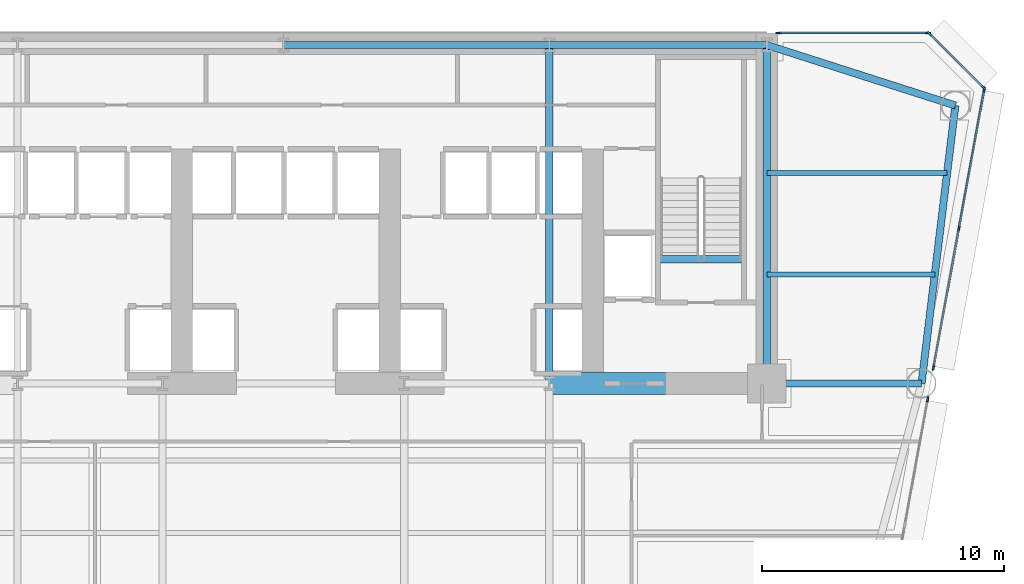
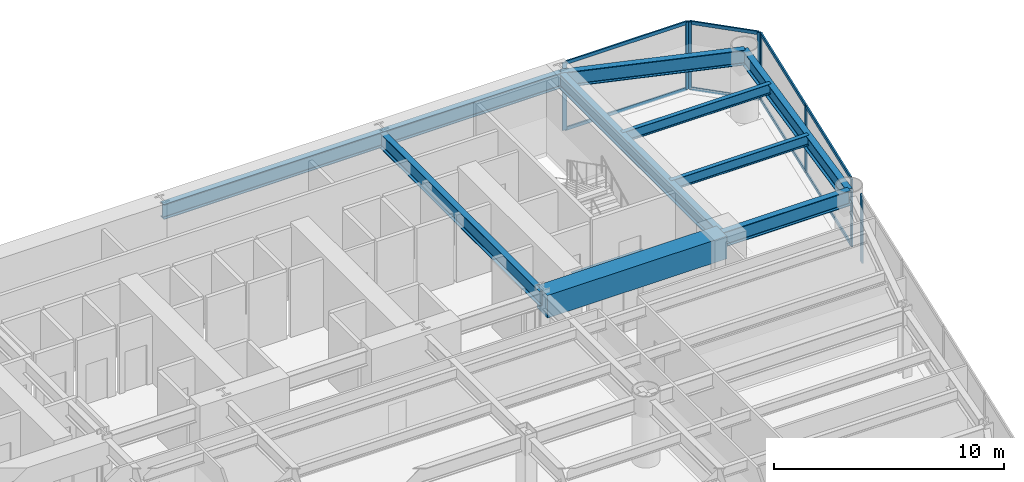
# One storey, part 6 of 14: 16 members, 11 beams, 4 elements without a shape of their own.
"""IFC4 building model written with IfcOpenShell, lengths in metres."""

from ifc_helpers import new_model, si_unit, direction, frame, origin, origin_2d, place, context, subcontext, project, spatial, rectangle, i_section, extrude, source, transform, mapped, material, layer, layer_set, material_profile, profile_set, type_object, element, aggregate, save


model = new_model("IFC4")

# Units and contexts
model_context = context("Model", 3, precision=1e-05, world=origin(), true_north=direction((0.0, 1.0)))
body_context = subcontext(model_context, "Body", "Model", "MODEL_VIEW")
ifc_project = project(units=[si_unit("LENGTHUNIT", "METRE"), si_unit("AREAUNIT", "SQUARE_METRE"), si_unit("VOLUMEUNIT", "CUBIC_METRE"), si_unit("PLANEANGLEUNIT", "RADIAN"), si_unit("MASSUNIT", "GRAM", prefix="KILO")], contexts=[model_context])

# Site, building, storey
site_placement = place(None, origin())
site = spatial("IfcSite", under=ifc_project, at=site_placement, CompositionType="ELEMENT")
building_placement = place(site_placement, origin())
building = spatial("IfcBuilding", under=site, at=building_placement, Name="Vaeldorn Concourse Tower", CompositionType="ELEMENT")
storey_placement = place(building_placement, frame((0.0, 0.0, 53.0)))
storey = spatial("IfcBuildingStorey", under=building, at=storey_placement, Name="L13", CompositionType="ELEMENT", Elevation=53.0)

# Beams
ifc_material_1 = material(Name="Concrete C60/75", Category="concrete")
ifc_material_profile_1 = material_profile(ifc_material_1, rectangle(XDim=0.89990234375, YDim=1.199951171875, at=origin_2d()), Name="RC 900x1200")
ifc_profile_set_1 = profile_set([ifc_material_profile_1], Name="Concrete C60/75")
beam_type_1 = type_object("IfcBeamType", Name="BM-CB-RC900", PredefinedType="BEAM", material=ifc_profile_set_1)
shared_shape_1 = source(origin(), body_context, "Body", "SweptSolid", [
    extrude(rectangle(XDim=0.89990234375, YDim=1.199951171875, at=origin_2d()), origin(), (0.0, 0.0, 1.0), 9.0),
])
beam_1_placement = place(storey_placement, frame((45.0, 36.5, 2.97998046875), z_axis=(1.0, 0.0, 0.0), x_axis=(0.0, 1.0, 0.0)))
element("IfcBeam", 1, at=beam_1_placement, inside=storey, type_object=beam_type_1, Name="Core Coupling Beam L13-2", PredefinedType="BEAM", context=body_context, shape_type="MappedRepresentation", body=[
    mapped(shared_shape_1, transform((0.0, 0.0, 0.0), scale=1.0)),
])
ifc_material_2 = material(Name="Steel S355", Category="steel")
ifc_material_profile_2 = material_profile(ifc_material_2, i_section(OverallWidth=0.300048828125, OverallDepth=0.340087890625, WebThickness=0.011962890625, FlangeThickness=0.021484375, FilletRadius=0.027099609375, at=origin_2d()), Name="HEB 340")
ifc_profile_set_2 = profile_set([ifc_material_profile_2], Name="Steel S355")
beam_type_2 = type_object("IfcBeamType", Name="BM-ST-TRIM", PredefinedType="BEAM", material=ifc_profile_set_2)
shared_shape_2 = source(origin(), body_context, "Body", "SweptSolid", [
    extrude(i_section(OverallWidth=0.300048828125, OverallDepth=0.340087890625, WebThickness=0.011962890625, FlangeThickness=0.021484375, FilletRadius=0.027099609375, at=origin_2d()), origin(), (0.0, 0.0, 1.0), 3.590087890625),
])
beam_2_placement = place(storey_placement, frame((49.47998046875, 41.639892578125, -0.389892578125), z_axis=(1.0, 0.0, 0.0), x_axis=(0.0, 1.0, 0.0)))
element("IfcBeam", 2, at=beam_2_placement, inside=storey, type_object=beam_type_2, Name="Stair Landing Trimmer Beam ST-2 L13", PredefinedType="BEAM", context=body_context, shape_type="MappedRepresentation", body=[
    mapped(shared_shape_2, transform((0.0, 0.0, 0.0), scale=1.0)),
])
ifc_material_profile_3 = material_profile(ifc_material_2, i_section(OverallWidth=0.300048828125, OverallDepth=0.800048828125, WebThickness=0.017578125, FlangeThickness=0.032958984375, FilletRadius=0.030029296875, at=origin_2d()), Name="HEB 800")
ifc_profile_set_3 = profile_set([ifc_material_profile_3], Name="Steel S355")
beam_type_3 = type_object("IfcBeamType", Name="BM-PG-HEB800", PredefinedType="BEAM", material=ifc_profile_set_3)
shared_shape_3 = source(origin(), body_context, "Body", "SweptSolid", [
    extrude(i_section(OverallWidth=0.300048828125, OverallDepth=0.800048828125, WebThickness=0.017578125, FlangeThickness=0.032958984375, FilletRadius=0.030029296875, at=origin_2d()), origin(), (0.0, 0.0, 1.0), 9.0),
])
beam_3_placement = place(storey_placement, frame((45.0, 50.5, 3.179931640625), z_axis=(1.0, 0.0, 0.0), x_axis=(0.0, 1.0, 0.0)))
element("IfcBeam", 3, at=beam_3_placement, inside=storey, type_object=beam_type_3, Name="Beam BM-L13-C-HC4-C-HC5", PredefinedType="BEAM", context=body_context, shape_type="MappedRepresentation", body=[
    mapped(shared_shape_3, transform((0.0, 0.0, 0.0), scale=1.0)),
])
shared_shape_4 = source(origin(), body_context, "Body", "SweptSolid", [
    extrude(i_section(OverallWidth=0.300048828125, OverallDepth=0.800048828125, WebThickness=0.017578125, FlangeThickness=0.032958984375, FilletRadius=0.030029296875, at=origin_2d()), origin(), (0.0, 0.0, 1.0), 11.0),
])
beam_4_placement = place(storey_placement, frame((34.0, 50.5, 3.179931640625), z_axis=(1.0, 0.0, 0.0), x_axis=(0.0, 1.0, 0.0)))
element("IfcBeam", 4, at=beam_4_placement, inside=storey, type_object=beam_type_3, Name="Beam BM-L13-C-HC3-C-HC4", PredefinedType="BEAM", context=body_context, shape_type="MappedRepresentation", body=[
    mapped(shared_shape_4, transform((0.0, 0.0, 0.0), scale=1.0)),
])
shared_shape_5 = source(origin(), body_context, "Body", "SweptSolid", [
    extrude(i_section(OverallWidth=0.300048828125, OverallDepth=0.800048828125, WebThickness=0.017578125, FlangeThickness=0.032958984375, FilletRadius=0.030029296875, at=origin_2d()), origin(), (0.0, 0.0, 1.0), 14.0),
])
for number, where, z_axis, x_axis, name in (
    (5, (45.0, 36.5, 3.179931640625), (0.0, 1.0, 0.0), (-1.0, 0.0, 0.0), "Beam BM-L13-C-FC5-C-HC4"),
    (6, (54.0, 36.5, 3.179931640625), (0.0, 1.0, 0.0), (-1.0, 0.0, 0.0), "Beam BM-L13-C-FC6-C-HC5"),
):
    element("IfcBeam", number, at=place(storey_placement, frame(where, z_axis=z_axis, x_axis=x_axis)), inside=storey, type_object=beam_type_3, Name=name, PredefinedType="BEAM", context=body_context, shape_type="MappedRepresentation", body=[
        mapped(shared_shape_5, transform((0.0, 0.0, 0.0), scale=1.0)),
    ])
shared_shape_6 = source(origin(), body_context, "Body", "SweptSolid", [
    extrude(i_section(OverallWidth=0.300048828125, OverallDepth=0.800048828125, WebThickness=0.017578125, FlangeThickness=0.032958984375, FilletRadius=0.030029296875, at=origin_2d()), origin(), (0.0, 0.0, 1.0), 8.19091796875),
])
beam_5_placement = place(storey_placement, frame((54.0, 50.5, 3.179931640625), z_axis=(0.952282843383, -0.305216949396, 0.0), x_axis=(0.305216949396, 0.952282843383, 0.0)))
element("IfcBeam", 7, at=beam_5_placement, inside=storey, type_object=beam_type_3, Name="Beam BM-L13-C-HC5-C-NE1", PredefinedType="BEAM", context=body_context, shape_type="MappedRepresentation", body=[
    mapped(shared_shape_6, transform((0.0, 0.0, 0.0), scale=1.0)),
])
shared_shape_7 = source(origin(), body_context, "Body", "SweptSolid", [
    extrude(i_section(OverallWidth=0.300048828125, OverallDepth=0.800048828125, WebThickness=0.017578125, FlangeThickness=0.032958984375, FilletRadius=0.030029296875, at=origin_2d()), origin(), (0.0, 0.0, 1.0), 11.5849609375),
])
beam_6_placement = place(storey_placement, frame((61.800048828125, 48.0, 3.179931640625), z_axis=(-0.120859382899, -0.992669637677, 0.0), x_axis=(0.992669637677, -0.120859382899, 0.0)))
element("IfcBeam", 8, at=beam_6_placement, inside=storey, type_object=beam_type_3, Name="Beam BM-L13-C-NE1-C-NE2", PredefinedType="BEAM", context=body_context, shape_type="MappedRepresentation", body=[
    mapped(shared_shape_7, transform((0.0, 0.0, 0.0), scale=1.0)),
])
shared_shape_8 = source(origin(), body_context, "Body", "SweptSolid", [
    extrude(i_section(OverallWidth=0.300048828125, OverallDepth=0.800048828125, WebThickness=0.017578125, FlangeThickness=0.032958984375, FilletRadius=0.030029296875, at=origin_2d()), origin(), (0.0, 0.0, 1.0), 6.39990234375),
])
beam_7_placement = place(storey_placement, frame((54.0, 36.5, 3.179931640625), z_axis=(1.0, 0.0, 0.0), x_axis=(0.0, 1.0, 0.0)))
element("IfcBeam", 9, at=beam_7_placement, inside=storey, type_object=beam_type_3, Name="Beam BM-L13-C-FC6-C-NE2", PredefinedType="BEAM", context=body_context, shape_type="MappedRepresentation", body=[
    mapped(shared_shape_8, transform((0.0, 0.0, 0.0), scale=1.0)),
])
ifc_material_profile_4 = material_profile(ifc_material_2, i_section(OverallWidth=0.2099609375, OverallDepth=0.550048828125, WebThickness=0.010986328125, FlangeThickness=0.01708984375, FilletRadius=0.02392578125, at=origin_2d()), Name="IPE 550")
ifc_profile_set_4 = profile_set([ifc_material_profile_4], Name="Steel S355")
beam_type_4 = type_object("IfcBeamType", Name="BM-JS-IPE550", PredefinedType="JOIST", material=ifc_profile_set_4)
shared_shape_9 = source(origin(), body_context, "Body", "SweptSolid", [
    extrude(i_section(OverallWidth=0.2099609375, OverallDepth=0.550048828125, WebThickness=0.010986328125, FlangeThickness=0.01708984375, FilletRadius=0.02392578125, at=origin_2d()), origin(), (0.0, 0.0, 1.0), 6.94775390625),
])
beam_8_placement = place(storey_placement, frame((54.0, 41.0, 3.304931640625), z_axis=(1.0, 0.0, 0.0), x_axis=(0.0, 1.0, 0.0)))
element("IfcBeam", 10, at=beam_8_placement, inside=storey, type_object=beam_type_4, Name="Beam JS-L13-NE-410", PredefinedType="JOIST", context=body_context, shape_type="MappedRepresentation", body=[
    mapped(shared_shape_9, transform((0.0, 0.0, 0.0), scale=1.0)),
])
shared_shape_10 = source(origin(), body_context, "Body", "SweptSolid", [
    extrude(i_section(OverallWidth=0.2099609375, OverallDepth=0.550048828125, WebThickness=0.010986328125, FlangeThickness=0.01708984375, FilletRadius=0.02392578125, at=origin_2d()), origin(), (0.0, 0.0, 1.0), 7.458984375),
])
beam_9_placement = place(storey_placement, frame((54.0, 45.199951171875, 3.304931640625), z_axis=(1.0, 0.0, 0.0), x_axis=(0.0, 1.0, 0.0)))
element("IfcBeam", 11, at=beam_9_placement, inside=storey, type_object=beam_type_4, Name="Beam JS-L13-NE-452", PredefinedType="JOIST", context=body_context, shape_type="MappedRepresentation", body=[
    mapped(shared_shape_10, transform((0.0, 0.0, 0.0), scale=1.0)),
])

# Curtain wall, members
ifc_material_3 = material(Name="Anodised Bronze Aluminium", Category="aluminium")
ifc_layer = layer(ifc_material_3, 0.219970703125)
ifc_layer_set = layer_set([ifc_layer], Name="Anodised Bronze Aluminium")
curtain_wall_type = type_object("IfcCurtainWallType", Name="CW-SYS-01", PredefinedType="NOTDEFINED", material=ifc_layer_set)
curtain_wall_1_placement = place(storey_placement, origin())
curtain_wall_1 = element("IfcCurtainWall", 12, at=curtain_wall_1_placement, inside=storey, type_object=curtain_wall_type, Name="Unitised Curtain Wall CW-L13-E08-1", PredefinedType="NOTDEFINED")
ifc_material_profile_5 = material_profile(ifc_material_3, rectangle(XDim=0.074951171875, YDim=0.179931640625, at=origin_2d()), Name="CWT 75x180")
ifc_profile_set_5 = profile_set([ifc_material_profile_5], Name="Anodised Bronze Aluminium")
member_type_1 = type_object("IfcMemberType", Name="CWT-BRONZE-180", PredefinedType="USERDEFINED", material=ifc_profile_set_5)
shared_shape_11 = source(origin(), body_context, "Body", "SweptSolid", [
    extrude(rectangle(XDim=0.074951171875, YDim=0.179931640625, at=origin_2d()), origin(), (0.0, 0.0, 1.0), 3.10302734375),
])
member_1_placement = place(storey_placement, frame((62.947021484375, 48.7529296875, 0.03759765625), z_axis=(-0.707106781187, 0.707106781187, 0.0), x_axis=(-0.707106781187, -0.707106781187, 0.0)))
member_1 = element("IfcMember", 13, at=member_1_placement, type_object=member_type_1, Name="CW-01 transom 1.1", ObjectType="TRANSOM", PredefinedType="USERDEFINED", context=body_context, shape_type="MappedRepresentation", body=[
    mapped(shared_shape_11, transform((0.0, 0.0, 0.0), scale=1.0)),
])
member_2_placement = place(storey_placement, frame((62.947021484375, 48.7529296875, 3.54248046875), z_axis=(-0.707106781187, 0.707106781187, 0.0), x_axis=(-0.707106781187, -0.707106781187, 0.0)))
member_2 = element("IfcMember", 14, at=member_2_placement, type_object=member_type_1, Name="CW-01 transom 1.2", ObjectType="TRANSOM", PredefinedType="USERDEFINED", context=body_context, shape_type="MappedRepresentation", body=[
    mapped(shared_shape_11, transform((0.0, 0.0, 0.0), scale=1.0)),
])

curtain_wall_2_placement = place(storey_placement, origin())
curtain_wall_2 = element("IfcCurtainWall", 15, at=curtain_wall_2_placement, inside=storey, type_object=curtain_wall_type, Name="Unitised Curtain Wall CW-L13-E09-1", PredefinedType="NOTDEFINED")
shared_shape_12 = source(origin(), body_context, "Body", "SweptSolid", [
    extrude(rectangle(XDim=0.074951171875, YDim=0.179931640625, at=origin_2d()), origin(), (0.0, 0.0, 1.0), 6.10498046875),
])
member_3_placement = place(storey_placement, frame((60.625, 51.0, 0.03759765625), z_axis=(-1.0, 0.0, 0.0), x_axis=(0.0, -1.0, 0.0)))
member_3 = element("IfcMember", 16, at=member_3_placement, type_object=member_type_1, Name="CW-01 transom 1.1", ObjectType="TRANSOM", PredefinedType="USERDEFINED", context=body_context, shape_type="MappedRepresentation", body=[
    mapped(shared_shape_12, transform((0.0, 0.0, 0.0), scale=1.0)),
])
member_4_placement = place(storey_placement, frame((60.625, 51.0, 3.54248046875), z_axis=(-1.0, 0.0, 0.0), x_axis=(0.0, -1.0, 0.0)))
member_4 = element("IfcMember", 17, at=member_4_placement, type_object=member_type_1, Name="CW-01 transom 1.2", ObjectType="TRANSOM", PredefinedType="USERDEFINED", context=body_context, shape_type="MappedRepresentation", body=[
    mapped(shared_shape_12, transform((0.0, 0.0, 0.0), scale=1.0)),
])

# Curtain wall, member
curtain_wall_3_placement = place(storey_placement, origin())
curtain_wall_3 = element("IfcCurtainWall", 18, at=curtain_wall_3_placement, inside=storey, type_object=curtain_wall_type, Name="Unitised Curtain Wall CW-L13-E07-1", PredefinedType="NOTDEFINED")
ifc_material_profile_6 = material_profile(ifc_material_3, rectangle(XDim=0.074951171875, YDim=0.219970703125, at=origin_2d()), Name="CWM 75x220")
ifc_profile_set_6 = profile_set([ifc_material_profile_6], Name="Anodised Bronze Aluminium")
member_type_2 = type_object("IfcMemberType", Name="CWM-BRONZE-220", PredefinedType="MULLION", material=ifc_profile_set_6)
shared_shape_13 = source(origin(), body_context, "Body", "SweptSolid", [
    extrude(rectangle(XDim=0.074951171875, YDim=0.219970703125, at=origin_2d()), origin(), (0.0, 0.0, 1.0), 3.580078125),
])
member_5_placement = place(storey_placement, frame((60.658203125, 35.843505859375, 0.0), z_axis=(0.0, 0.0, 1.0), x_axis=(-0.983811609564, 0.179205794791, 0.0)))
member_5 = element("IfcMember", 19, at=member_5_placement, type_object=member_type_2, Name="CW-01 mullion 7", PredefinedType="MULLION", context=body_context, shape_type="MappedRepresentation", body=[
    mapped(shared_shape_13, transform((0.0, 0.0, 0.0), scale=1.0)),
])
aggregate(curtain_wall_3, [member_5])

# Curtain wall, members
curtain_wall_4_placement = place(storey_placement, origin())
curtain_wall_4 = element("IfcCurtainWall", 20, at=curtain_wall_4_placement, inside=storey, type_object=curtain_wall_type, Name="Unitised Curtain Wall CW-L13-E07-2", PredefinedType="NOTDEFINED")
member_6_placement = place(storey_placement, frame((60.897216796875, 37.156494140625, 0.0), z_axis=(0.0, 0.0, 1.0), x_axis=(-0.983812226103, 0.179202410057, 0.0)))
member_6 = element("IfcMember", 21, at=member_6_placement, type_object=member_type_2, Name="CW-01 mullion 1", PredefinedType="MULLION", context=body_context, shape_type="MappedRepresentation", body=[
    mapped(shared_shape_13, transform((0.0, 0.0, 0.0), scale=1.0)),
])
member_7_placement = place(storey_placement, frame((61.9453125, 42.90966796875, 0.0), z_axis=(0.0, 0.0, 1.0), x_axis=(-0.983812226103, 0.179202410057, 0.0)))
member_7 = element("IfcMember", 22, at=member_7_placement, type_object=member_type_2, Name="CW-01 mullion 2", PredefinedType="MULLION", context=body_context, shape_type="MappedRepresentation", body=[
    mapped(shared_shape_13, transform((0.0, 0.0, 0.0), scale=1.0)),
])
member_8_placement = place(storey_placement, frame((62.9931640625, 48.6630859375, 0.0), z_axis=(0.0, 0.0, 1.0), x_axis=(-0.983812226103, 0.179202410057, 0.0)))
member_8 = element("IfcMember", 23, at=member_8_placement, type_object=member_type_2, Name="CW-01 mullion 3", PredefinedType="MULLION", context=body_context, shape_type="MappedRepresentation", body=[
    mapped(shared_shape_13, transform((0.0, 0.0, 0.0), scale=1.0)),
])

# Member
member_9_placement = place(storey_placement, frame((62.973388671875, 48.7265625, 0.0), z_axis=(0.0, 0.0, 1.0), x_axis=(-0.707106781187, -0.707106781187, 0.0)))
member_9 = element("IfcMember", 24, at=member_9_placement, type_object=member_type_2, Name="CW-01 mullion 1", PredefinedType="MULLION", context=body_context, shape_type="MappedRepresentation", body=[
    mapped(shared_shape_13, transform((0.0, 0.0, 0.0), scale=1.0)),
])

member_10_placement = place(storey_placement, frame((60.7265625, 50.973388671875, 0.0), z_axis=(0.0, 0.0, 1.0), x_axis=(-0.707106781187, -0.707106781187, 0.0)))
member_10 = element("IfcMember", 25, at=member_10_placement, type_object=member_type_2, Name="CW-01 mullion 2", PredefinedType="MULLION", context=body_context, shape_type="MappedRepresentation", body=[
    mapped(shared_shape_13, transform((0.0, 0.0, 0.0), scale=1.0)),
])

aggregate(curtain_wall_1, [member_9, member_10, member_1, member_2])

member_11_placement = place(storey_placement, frame((60.66259765625, 51.0, 0.0), z_axis=(0.0, 0.0, 1.0), x_axis=(0.0, -1.0, 0.0)))
member_11 = element("IfcMember", 26, at=member_11_placement, type_object=member_type_2, Name="CW-01 mullion 1", PredefinedType="MULLION", context=body_context, shape_type="MappedRepresentation", body=[
    mapped(shared_shape_13, transform((0.0, 0.0, 0.0), scale=1.0)),
])

member_12_placement = place(storey_placement, frame((54.482421875, 51.0, 0.0), z_axis=(0.0, 0.0, 1.0), x_axis=(0.0, -1.0, 0.0)))
member_12 = element("IfcMember", 27, at=member_12_placement, type_object=member_type_2, Name="CW-01 mullion 2", PredefinedType="MULLION", context=body_context, shape_type="MappedRepresentation", body=[
    mapped(shared_shape_13, transform((0.0, 0.0, 0.0), scale=1.0)),
])

aggregate(curtain_wall_2, [member_11, member_12, member_3, member_4])

shared_shape_14 = source(origin(), body_context, "Body", "SweptSolid", [
    extrude(rectangle(XDim=0.074951171875, YDim=0.179931640625, at=origin_2d()), origin(), (0.0, 0.0, 1.0), 5.77294921875),
])
member_13_placement = place(storey_placement, frame((60.904052734375, 37.193359375, 0.03759765625), z_axis=(0.179186879905, 0.98381505481, 0.0), x_axis=(-0.98381505481, 0.179186879905, 0.0)))
member_13 = element("IfcMember", 28, at=member_13_placement, type_object=member_type_1, Name="CW-01 transom 1.1", ObjectType="TRANSOM", PredefinedType="USERDEFINED", context=body_context, shape_type="MappedRepresentation", body=[
    mapped(shared_shape_14, transform((0.0, 0.0, 0.0), scale=1.0)),
])

member_14_placement = place(storey_placement, frame((60.904052734375, 37.193359375, 3.54248046875), z_axis=(0.179186879905, 0.98381505481, 0.0), x_axis=(-0.98381505481, 0.179186879905, 0.0)))
member_14 = element("IfcMember", 29, at=member_14_placement, type_object=member_type_1, Name="CW-01 transom 1.2", ObjectType="TRANSOM", PredefinedType="USERDEFINED", context=body_context, shape_type="MappedRepresentation", body=[
    mapped(shared_shape_14, transform((0.0, 0.0, 0.0), scale=1.0)),
])

shared_shape_15 = source(origin(), body_context, "Body", "SweptSolid", [
    extrude(rectangle(XDim=0.074951171875, YDim=0.179931640625, at=origin_2d()), origin(), (0.0, 0.0, 1.0), 5.773193359375),
])
member_15_placement = place(storey_placement, frame((61.951904296875, 42.946533203125, 0.03759765625), z_axis=(0.179220355919, 0.983808957077, 0.0), x_axis=(-0.983808957077, 0.179220355919, 0.0)))
member_15 = element("IfcMember", 30, at=member_15_placement, type_object=member_type_1, Name="CW-01 transom 2.1", ObjectType="TRANSOM", PredefinedType="USERDEFINED", context=body_context, shape_type="MappedRepresentation", body=[
    mapped(shared_shape_15, transform((0.0, 0.0, 0.0), scale=1.0)),
])

member_16_placement = place(storey_placement, frame((61.951904296875, 42.946533203125, 3.54248046875), z_axis=(0.179220355919, 0.983808957077, 0.0), x_axis=(-0.983808957077, 0.179220355919, 0.0)))
member_16 = element("IfcMember", 31, at=member_16_placement, type_object=member_type_1, Name="CW-01 transom 2.2", ObjectType="TRANSOM", PredefinedType="USERDEFINED", context=body_context, shape_type="MappedRepresentation", body=[
    mapped(shared_shape_15, transform((0.0, 0.0, 0.0), scale=1.0)),
])

aggregate(curtain_wall_4, [member_6, member_7, member_8, member_13, member_14, member_15, member_16])

save(model, "model.ifc")
